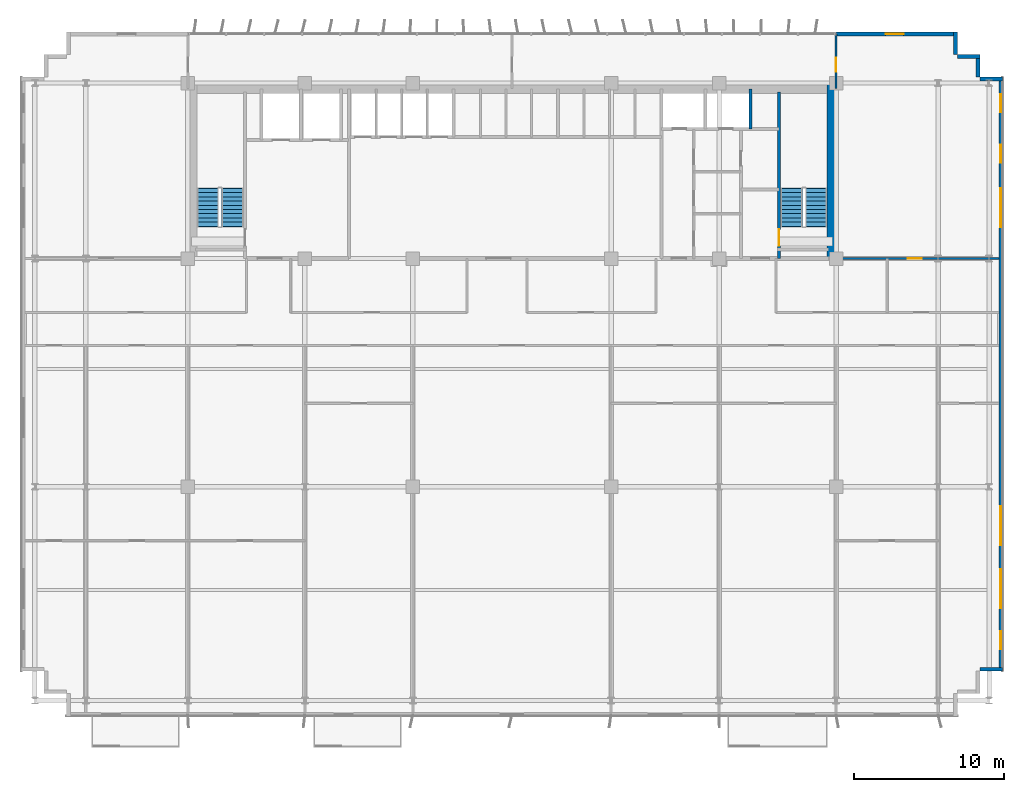
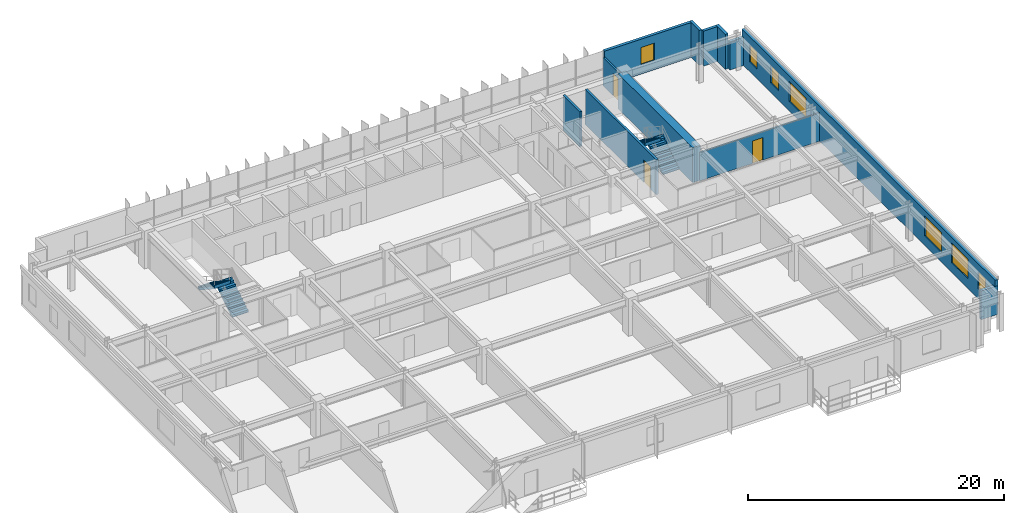
# One storey, part 18 of 21: 12 walls, 7 windows, 4 stair flights, 3 doors, 10 openings, 2 elements without a shape of their own.
"""IFC4 building model written with IfcOpenShell, lengths in metres."""

from ifc_helpers import new_model, si_unit, direction, frame, frame_2d, origin, place, context, subcontext, project, spatial, polyline, rectangle, outline, extrude, source, transform, mapped, material, layer, layer_set, type_object, element, fill, aggregate, save


model = new_model("IFC4")

# Units and contexts
model_context = context("Model", 3, precision=1e-05, world=origin(), true_north=direction((0.0, 1.0)))
body_context = subcontext(model_context, "Body", "Model", "MODEL_VIEW")
ifc_project = project(units=[si_unit("LENGTHUNIT", "METRE"), si_unit("AREAUNIT", "SQUARE_METRE"), si_unit("VOLUMEUNIT", "CUBIC_METRE"), si_unit("PLANEANGLEUNIT", "RADIAN"), si_unit("MASSUNIT", "GRAM", prefix="KILO")], contexts=[model_context])

# Site, building, storey
site_placement = place(None, origin())
site = spatial("IfcSite", under=ifc_project, at=site_placement, CompositionType="ELEMENT")
building_placement = place(site_placement, origin())
building = spatial("IfcBuilding", under=site, at=building_placement, Name="Trelvane Seafront Commons", CompositionType="ELEMENT")
storey_placement = place(building_placement, frame((0.0, 0.0, 34.300048828125)))
storey = spatial("IfcBuildingStorey", under=building, at=storey_placement, Name="L08", CompositionType="ELEMENT", Elevation=34.300048828125)

# Wall, opening, window
ifc_material_1 = material(Name="Precast concrete C40/50", Category="concrete")
ifc_layer_1 = layer(ifc_material_1, 0.260009765625, Name="ARCH-WALL-EXT260")
ifc_layer_set_1 = layer_set([ifc_layer_1], Name="Precast concrete C40/50")
wall_type_1 = type_object("IfcWallType", Name="ARCH-WALL-EXT260", PredefinedType="SOLIDWALL", material=ifc_layer_set_1)
wall_1_placement = place(storey_placement, frame((58.800048828125, 48.3701171875, 0.0), z_axis=(0.0, 0.0, 1.0), x_axis=(1.0, 0.0, 0.0)))
wall_1 = element("IfcWall", 1, at=wall_1_placement, inside=storey, type_object=wall_type_1, Name="EW-L08-NE-0109", PredefinedType="SOLIDWALL", context=body_context, shape_type="SweptSolid", body=[
    extrude(rectangle(XDim=8.0, YDim=0.260009765625, at=frame_2d((4.0, 0.0))), origin(), (0.0, 0.0, 1.0), 3.33984375),
])
opening_1_placement = place(wall_1_placement, frame((3.30810546875, 0.0, 0.89990234375)))
opening_1 = element("IfcOpeningElement", 2, at=opening_1_placement, cuts=wall_1, Name="Opening W05", PredefinedType="OPENING", context=body_context, shape_type="SweptSolid", body=[
    extrude(rectangle(XDim=1.199951171875, YDim=1.64990234375, at=frame_2d((0.60009765625, 0.824951171875))), frame((0.0, 0.139892578125, 0.0), z_axis=(0.0, -1.0, 0.0), x_axis=(1.0, 0.0, 0.0)), (0.0, 0.0, 1.0), 0.280029296875),
])
ifc_material_2 = material(Name="Low-E coastal double glazing", Category="glass")
window_type_1 = type_object("IfcWindowType", Name="ARCH-WIN-W05", PartitioningType="SINGLE_PANEL", PredefinedType="WINDOW", material=ifc_material_2)
shared_shape_1 = source(origin(), body_context, "Body", "SweptSolid", [
    extrude(rectangle(XDim=1.199951171875, YDim=1.64990234375, at=frame_2d((0.60009765625, 0.824951171875))), frame((0.0, 0.030029296875, 0.0), z_axis=(0.0, -1.0, 0.0), x_axis=(1.0, 0.0, 0.0)), (0.0, 0.0, 1.0), 0.06005859375),
])
window_1_placement = place(opening_1_placement, origin())
window_1 = element("IfcWindow", 3, at=window_1_placement, inside=storey, type_object=window_type_1, Name="WIN-L08-00157", OverallHeight=1.64990234375, OverallWidth=1.199951171875, PartitioningType="SINGLE_PANEL", PredefinedType="WINDOW", context=body_context, shape_type="MappedRepresentation", body=[
    mapped(shared_shape_1, transform((0.0, 0.0, 0.0), x_axis=(1.0, 0.0, 0.0), y_axis=(0.0, 1.0, 0.0), z_axis=(0.0, 0.0, 1.0), scale=1.0)),
])
fill(opening_1, window_1)

# Walls
for number, where, z_axis, x_axis, name in (
    (4, (66.77001953125, 48.5, 0.0), (0.0, 0.0, 1.0), (0.0, -1.0, 0.0), "EW-L08-00118"),
    (5, (66.89990234375, 46.8701171875, 0.0), (0.0, 0.0, 1.0), (1.0, 0.0, 0.0), "EW-L08-00119"),
    (6, (68.27001953125, 47.0, 0.0), (0.0, 0.0, 1.0), (0.0, -1.0, 0.0), "EW-L08-00120"),
):
    element("IfcWall", number, at=place(storey_placement, frame(where, z_axis=z_axis, x_axis=x_axis)), inside=storey, type_object=wall_type_1, Name=name, PredefinedType="SOLIDWALL", context=body_context, shape_type="SweptSolid", body=[
        extrude(rectangle(XDim=1.5, YDim=0.260009765625, at=frame_2d((0.75, 0.0))), origin(), (0.0, 0.0, 1.0), 3.33984375),
    ])
wall_2_placement = place(storey_placement, frame((68.39990234375, 45.3701171875, 0.0), z_axis=(0.0, 0.0, 1.0), x_axis=(1.0, 0.0, 0.0)))
element("IfcWall", 7, at=wall_2_placement, inside=storey, type_object=wall_type_1, Name="EW-L08-00121", PredefinedType="SOLIDWALL", context=body_context, shape_type="SweptSolid", body=[
    extrude(rectangle(XDim=1.5, YDim=0.260009765625, at=frame_2d((0.75, 0.0))), origin(), (0.0, 0.0, 1.0), 2.68994140625),
])

# Wall, openings, windows
wall_3_placement = place(storey_placement, frame((69.77001953125, 45.5, 0.0), z_axis=(0.0, 0.0, 1.0), x_axis=(0.0, -1.0, 0.0)))
wall_3 = element("IfcWall", 8, at=wall_3_placement, inside=storey, type_object=wall_type_1, Name="EW-L08-00122", PredefinedType="SOLIDWALL", context=body_context, shape_type="SweptSolid", body=[
    extrude(rectangle(XDim=39.60009765625, YDim=0.260009765625, at=frame_2d((19.800048828125, 0.0))), origin(), (0.0, 0.0, 1.0), 3.33984375),
])
opening_2_placement = place(wall_3_placement, frame((36.949951171875, 0.0, 0.919921875)))
opening_2 = element("IfcOpeningElement", 9, at=opening_2_placement, cuts=wall_3, Name="Opening W05", PredefinedType="OPENING", context=body_context, shape_type="SweptSolid", body=[
    extrude(rectangle(XDim=1.199951171875, YDim=1.64990234375, at=frame_2d((0.60009765625, 0.824951171875))), frame((0.0, 0.139892578125, 0.0), z_axis=(0.0, -1.0, 0.0), x_axis=(1.0, 0.0, 0.0)), (0.0, 0.0, 1.0), 0.280029296875),
])
opening_3_placement = place(wall_3_placement, frame((32.800048828125, 0.0, 0.919921875)))
opening_3 = element("IfcOpeningElement", 10, at=opening_3_placement, cuts=wall_3, Name="Opening W04", PredefinedType="OPENING", context=body_context, shape_type="SweptSolid", body=[
    extrude(rectangle(XDim=2.60009765625, YDim=1.89990234375, at=frame_2d((1.300048828125, 0.949951171875))), frame((0.0, 0.139892578125, 0.0), z_axis=(0.0, -1.0, 0.0), x_axis=(1.0, 0.0, 0.0)), (0.0, 0.0, 1.0), 0.280029296875),
])
opening_4_placement = place(wall_3_placement, frame((28.60009765625, 0.0, 0.919921875)))
opening_4 = element("IfcOpeningElement", 11, at=opening_4_placement, cuts=wall_3, Name="Opening W04", PredefinedType="OPENING", context=body_context, shape_type="SweptSolid", body=[
    extrude(rectangle(XDim=2.60009765625, YDim=1.89990234375, at=frame_2d((1.300048828125, 0.949951171875))), frame((0.0, 0.139892578125, 0.0), z_axis=(0.0, -1.0, 0.0), x_axis=(1.0, 0.0, 0.0)), (0.0, 0.0, 1.0), 0.280029296875),
])
opening_5_placement = place(wall_3_placement, frame((7.39990234375, 0.0, 0.919921875)))
opening_5 = element("IfcOpeningElement", 12, at=opening_5_placement, cuts=wall_3, Name="Opening W04", PredefinedType="OPENING", context=body_context, shape_type="SweptSolid", body=[
    extrude(rectangle(XDim=2.60009765625, YDim=1.89990234375, at=frame_2d((1.300048828125, 0.949951171875))), frame((0.0, 0.139892578125, 0.0), z_axis=(0.0, -1.0, 0.0), x_axis=(1.0, 0.0, 0.0)), (0.0, 0.0, 1.0), 0.280029296875),
])
opening_6_placement = place(wall_3_placement, frame((4.5, 0.0, 0.919921875)))
opening_6 = element("IfcOpeningElement", 13, at=opening_6_placement, cuts=wall_3, Name="Opening W05", PredefinedType="OPENING", context=body_context, shape_type="SweptSolid", body=[
    extrude(rectangle(XDim=1.199951171875, YDim=1.64990234375, at=frame_2d((0.60009765625, 0.824951171875))), frame((0.0, 0.139892578125, 0.0), z_axis=(0.0, -1.0, 0.0), x_axis=(1.0, 0.0, 0.0)), (0.0, 0.0, 1.0), 0.280029296875),
])
opening_7_placement = place(wall_3_placement, frame((1.14990234375, 0.0, 0.919921875)))
opening_7 = element("IfcOpeningElement", 14, at=opening_7_placement, cuts=wall_3, Name="Opening W05", PredefinedType="OPENING", context=body_context, shape_type="SweptSolid", body=[
    extrude(rectangle(XDim=1.199951171875, YDim=1.64990234375, at=frame_2d((0.60009765625, 0.824951171875))), frame((0.0, 0.139892578125, 0.0), z_axis=(0.0, -1.0, 0.0), x_axis=(1.0, 0.0, 0.0)), (0.0, 0.0, 1.0), 0.280029296875),
])
window_type_2 = type_object("IfcWindowType", Name="ARCH-WIN-W04", PartitioningType="SINGLE_PANEL", PredefinedType="WINDOW", material=ifc_material_2)
shared_shape_2 = source(origin(), body_context, "Body", "SweptSolid", [
    extrude(rectangle(XDim=2.60009765625, YDim=1.89990234375, at=frame_2d((1.300048828125, 0.949951171875))), frame((0.0, 0.030029296875, 0.0), z_axis=(0.0, -1.0, 0.0), x_axis=(1.0, 0.0, 0.0)), (0.0, 0.0, 1.0), 0.06005859375),
])
window_2_placement = place(opening_3_placement, origin())
window_2 = element("IfcWindow", 15, at=window_2_placement, inside=storey, type_object=window_type_2, Name="WIN-L08-EW-00165", OverallHeight=1.89990234375, OverallWidth=2.60009765625, PartitioningType="SINGLE_PANEL", PredefinedType="WINDOW", context=body_context, shape_type="MappedRepresentation", body=[
    mapped(shared_shape_2, transform((0.0, 0.0, 0.0), x_axis=(1.0, 0.0, 0.0), y_axis=(0.0, 1.0, 0.0), z_axis=(0.0, 0.0, 1.0), scale=1.0)),
])
fill(opening_3, window_2)
window_3_placement = place(opening_4_placement, origin())
window_3 = element("IfcWindow", 16, at=window_3_placement, inside=storey, type_object=window_type_2, Name="WIN-L08-EW-00166", OverallHeight=1.89990234375, OverallWidth=2.60009765625, PartitioningType="SINGLE_PANEL", PredefinedType="WINDOW", context=body_context, shape_type="MappedRepresentation", body=[
    mapped(shared_shape_2, transform((0.0, 0.0, 0.0), x_axis=(1.0, 0.0, 0.0), y_axis=(0.0, 1.0, 0.0), z_axis=(0.0, 0.0, 1.0), scale=1.0)),
])
fill(opening_4, window_3)
window_4_placement = place(opening_5_placement, origin())
window_4 = element("IfcWindow", 17, at=window_4_placement, inside=storey, type_object=window_type_2, Name="WIN-L08-EW-00167", OverallHeight=1.89990234375, OverallWidth=2.60009765625, PartitioningType="SINGLE_PANEL", PredefinedType="WINDOW", context=body_context, shape_type="MappedRepresentation", body=[
    mapped(shared_shape_2, transform((0.0, 0.0, 0.0), x_axis=(1.0, 0.0, 0.0), y_axis=(0.0, 1.0, 0.0), z_axis=(0.0, 0.0, 1.0), scale=1.0)),
])
fill(opening_5, window_4)
window_5_placement = place(opening_2_placement, origin())
window_5 = element("IfcWindow", 18, at=window_5_placement, inside=storey, type_object=window_type_1, Name="WIN-L08-EW-00164", OverallHeight=1.64990234375, OverallWidth=1.199951171875, PartitioningType="SINGLE_PANEL", PredefinedType="WINDOW", context=body_context, shape_type="MappedRepresentation", body=[
    mapped(shared_shape_1, transform((0.0, 0.0, 0.0), x_axis=(1.0, 0.0, 0.0), y_axis=(0.0, 1.0, 0.0), z_axis=(0.0, 0.0, 1.0), scale=1.0)),
])
fill(opening_2, window_5)
window_6_placement = place(opening_6_placement, origin())
window_6 = element("IfcWindow", 19, at=window_6_placement, inside=storey, type_object=window_type_1, Name="WIN-L08-EW-00168", OverallHeight=1.64990234375, OverallWidth=1.199951171875, PartitioningType="SINGLE_PANEL", PredefinedType="WINDOW", context=body_context, shape_type="MappedRepresentation", body=[
    mapped(shared_shape_1, transform((0.0, 0.0, 0.0), x_axis=(1.0, 0.0, 0.0), y_axis=(0.0, 1.0, 0.0), z_axis=(0.0, 0.0, 1.0), scale=1.0)),
])
fill(opening_6, window_6)
window_7_placement = place(opening_7_placement, origin())
window_7 = element("IfcWindow", 20, at=window_7_placement, inside=storey, type_object=window_type_1, Name="WIN-L08-EW-00169", OverallHeight=1.64990234375, OverallWidth=1.199951171875, PartitioningType="SINGLE_PANEL", PredefinedType="WINDOW", context=body_context, shape_type="MappedRepresentation", body=[
    mapped(shared_shape_1, transform((0.0, 0.0, 0.0), x_axis=(1.0, 0.0, 0.0), y_axis=(0.0, 1.0, 0.0), z_axis=(0.0, 0.0, 1.0), scale=1.0)),
])
fill(opening_7, window_7)

# Wall
wall_4_placement = place(storey_placement, frame((69.89990234375, 6.030029296875, 0.0), z_axis=(0.0, 0.0, 1.0), x_axis=(-1.0, 0.0, 0.0)))
element("IfcWall", 21, at=wall_4_placement, inside=storey, type_object=wall_type_1, Name="EW-L08-00123", PredefinedType="SOLIDWALL", context=body_context, shape_type="SweptSolid", body=[
    extrude(rectangle(XDim=1.5, YDim=0.260009765625, at=frame_2d((0.75, 0.0))), origin(), (0.0, 0.0, 1.0), 2.751953125),
])

# Wall, opening, door
ifc_material_3 = material(Name="Gypsum Drywall Acoustic Partition")
ifc_layer_2 = layer(ifc_material_3, 0.14990234375, Name="ARCH-WALL-PART150")
ifc_layer_set_2 = layer_set([ifc_layer_2], Name="Gypsum Drywall Acoustic Partition")
wall_type_2 = type_object("IfcWallType", Name="ARCH-WALL-PART150", PredefinedType="PARTITIONING", material=ifc_layer_set_2)
wall_5_placement = place(storey_placement, frame((58.800048828125, 33.39990234375, 0.0), z_axis=(0.0, 0.0, 1.0), x_axis=(1.0, 0.0, 0.0)))
wall_5 = element("IfcWall", 22, at=wall_5_placement, inside=storey, type_object=wall_type_2, Name="W-L08-NE-ENT-051", PredefinedType="PARTITIONING", context=body_context, shape_type="SweptSolid", body=[
    extrude(rectangle(XDim=10.849853515625, YDim=0.14990234375, at=frame_2d((5.4248046875, 0.0))), origin(), (0.0, 0.0, 1.0), 2.68994140625),
])
opening_8_placement = place(wall_5_placement, frame((4.760009765625, 0.0, 0.0)))
opening_8 = element("IfcOpeningElement", 23, at=opening_8_placement, cuts=wall_5, Name="Opening FD-L08-25", PredefinedType="OPENING", context=body_context, shape_type="SweptSolid", body=[
    extrude(rectangle(XDim=0.949951171875, YDim=2.14990234375, at=frame_2d((0.47509765625, 1.074951171875))), frame((0.0, 0.0849609375, 0.0), z_axis=(0.0, -1.0, 0.0), x_axis=(1.0, 0.0, 0.0)), (0.0, 0.0, 1.0), 0.169921875),
])
ifc_material_4 = material(Name="Powder-coated aluminium frame", Category="aluminium")
door_type_1 = type_object("IfcDoorType", Name="ARCH-DR-FD60-950", OperationType="NOTDEFINED", PredefinedType="DOOR", material=ifc_material_4)
shared_shape_3 = source(origin(), body_context, "Body", "SweptSolid", [
    extrude(rectangle(XDim=0.949951171875, YDim=2.14990234375, at=frame_2d((0.47509765625, 1.074951171875))), frame((0.0, 0.02490234375, 0.0), z_axis=(0.0, -1.0, 0.0), x_axis=(1.0, 0.0, 0.0)), (0.0, 0.0, 1.0), 0.050048828125),
])
door_1_placement = place(opening_8_placement, origin())
door_1 = element("IfcDoor", 24, at=door_1_placement, inside=storey, type_object=door_type_1, Name="L08 NE Suite Entrance Door", OperationType="SINGLE_SWING_LEFT", OverallHeight=2.14990234375, OverallWidth=0.949951171875, PredefinedType="DOOR", context=body_context, shape_type="MappedRepresentation", body=[
    mapped(shared_shape_3, transform((0.0, 0.0, 0.0), x_axis=(1.0, 0.0, 0.0), y_axis=(0.0, 1.0, 0.0), z_axis=(0.0, 0.0, 1.0), scale=1.0)),
])
fill(opening_8, door_1)

wall_6_placement = place(storey_placement, frame((58.800048828125, 44.75, 0.0), z_axis=(0.0, 0.0, 1.0), x_axis=(0.0, 1.0, 0.0)))
wall_6 = element("IfcWall", 25, at=wall_6_placement, inside=storey, type_object=wall_type_2, Name="W-L08-N-LINK-E-054", PredefinedType="PARTITIONING", context=body_context, shape_type="SweptSolid", body=[
    extrude(rectangle(XDim=3.610107421875, YDim=0.14990234375, at=frame_2d((1.80517578125, 0.0))), origin(), (0.0, 0.0, 1.0), 2.751953125),
])
opening_9_placement = place(wall_6_placement, frame((1.10009765625, 0.0, 0.0)))
opening_9 = element("IfcOpeningElement", 26, at=opening_9_placement, cuts=wall_6, Name="Opening FD-L08-28", PredefinedType="OPENING", context=body_context, shape_type="SweptSolid", body=[
    extrude(rectangle(XDim=0.949951171875, YDim=2.14990234375, at=frame_2d((0.47509765625, 1.074951171875))), frame((0.0, 0.0849609375, 0.0), z_axis=(0.0, -1.0, 0.0), x_axis=(1.0, 0.0, 0.0)), (0.0, 0.0, 1.0), 0.169921875),
])
door_2_placement = place(opening_9_placement, origin())
door_2 = element("IfcDoor", 27, at=door_2_placement, inside=storey, type_object=door_type_1, Name="L08 Door 28", OperationType="SINGLE_SWING_RIGHT", OverallHeight=2.14990234375, OverallWidth=0.949951171875, PredefinedType="DOOR", context=body_context, shape_type="MappedRepresentation", body=[
    mapped(shared_shape_3, transform((0.0, 0.0, 0.0), x_axis=(1.0, 0.0, 0.0), y_axis=(0.0, 1.0, 0.0), z_axis=(0.0, 0.0, 1.0), scale=1.0)),
])
fill(opening_9, door_2)

# Walls
ifc_material_5 = material(Name="Concrete C40/50", Category="concrete")
ifc_layer_3 = layer(ifc_material_5, 0.199951171875, Name="ARCH-WALL-SHAFT200")
ifc_layer_set_3 = layer_set([ifc_layer_3], Name="Concrete C40/50")
wall_type_3 = type_object("IfcWallType", Name="ARCH-WALL-SHAFT200", PredefinedType="SOLIDWALL", material=ifc_layer_set_3)
wall_7_placement = place(storey_placement, frame((53.10009765625, 42.050048828125, 0.0), z_axis=(0.0, 0.0, 1.0), x_axis=(0.0, 1.0, 0.0)))
element("IfcWall", 28, at=wall_7_placement, inside=storey, type_object=wall_type_3, Name="W-L08-RSR-E-032", PredefinedType="SOLIDWALL", context=body_context, shape_type="SweptSolid", body=[
    extrude(rectangle(XDim=2.64990234375, YDim=0.199951171875, at=frame_2d((1.324951171875, 0.0))), origin(), (0.0, 0.0, 1.0), 3.33984375),
])
ifc_material_6 = material(Name="Concrete C60/75", Category="concrete")
ifc_layer_4 = layer(ifc_material_6, 0.699951171875, Name="STR-WALL-CORE700")
ifc_layer_set_4 = layer_set([ifc_layer_4], Name="Concrete C60/75")
wall_type_4 = type_object("IfcWallType", Name="STR-WALL-CORE700", PredefinedType="SHEAR", material=ifc_layer_set_4)
wall_8_placement = place(storey_placement, frame((58.550048828125, 33.39990234375, 0.0), z_axis=(0.0, 0.0, 1.0), x_axis=(0.0, 1.0, 0.0)))
element("IfcWall", 29, at=wall_8_placement, inside=storey, type_object=wall_type_4, Name="W-L08-CE-END-003", PredefinedType="SHEAR", context=body_context, shape_type="SweptSolid", body=[
    extrude(rectangle(XDim=11.7001953125, YDim=0.699951171875, at=frame_2d((5.85009765625, 0.0))), origin(), (0.0, 0.0, 1.0), 3.33984375),
])

# Wall, opening, door
ifc_material_7 = material(Name="Concrete C50/60", Category="concrete")
ifc_layer_5 = layer(ifc_material_7, 0.199951171875, Name="STR-WALL-STAIR200")
ifc_layer_set_5 = layer_set([ifc_layer_5], Name="Concrete C50/60")
wall_type_5 = type_object("IfcWallType", Name="STR-WALL-STAIR200", PredefinedType="SHEAR", material=ifc_layer_set_5)
wall_9_placement = place(storey_placement, frame((55.0, 33.39990234375, 0.0), z_axis=(0.0, 0.0, 1.0), x_axis=(0.0, 1.0, 0.0)))
wall_9 = element("IfcWall", 30, at=wall_9_placement, inside=storey, type_object=wall_type_5, Name="W-L08-ST2-W-007", PredefinedType="SHEAR", context=body_context, shape_type="SweptSolid", body=[
    extrude(rectangle(XDim=11.10009765625, YDim=0.199951171875, at=frame_2d((5.550048828125, 0.0))), origin(), (0.0, 0.0, 1.0), 3.33984375),
])
opening_10_placement = place(wall_9_placement, frame((0.85009765625, 0.0, 0.0)))
opening_10 = element("IfcOpeningElement", 31, at=opening_10_placement, cuts=wall_9, Name="Opening ST-D2-L08", PredefinedType="OPENING", context=body_context, shape_type="SweptSolid", body=[
    extrude(rectangle(XDim=1.10009765625, YDim=2.14990234375, at=frame_2d((0.550048828125, 1.074951171875))), frame((0.0, 0.10986328125, 0.0), z_axis=(0.0, -1.0, 0.0), x_axis=(1.0, 0.0, 0.0)), (0.0, 0.0, 1.0), 0.219970703125),
])
door_type_2 = type_object("IfcDoorType", Name="ARCH-DR-FD90-1100", OperationType="NOTDEFINED", PredefinedType="DOOR", material=ifc_material_4)
shared_shape_4 = source(origin(), body_context, "Body", "SweptSolid", [
    extrude(rectangle(XDim=1.10009765625, YDim=2.14990234375, at=frame_2d((0.550048828125, 1.074951171875))), frame((0.0, 0.02490234375, 0.0), z_axis=(0.0, -1.0, 0.0), x_axis=(1.0, 0.0, 0.0)), (0.0, 0.0, 1.0), 0.050048828125),
])
door_3_placement = place(opening_10_placement, origin())
door_3 = element("IfcDoor", 32, at=door_3_placement, inside=storey, type_object=door_type_2, Name="L08 Stair ST-2 Vestibule Fire Door", OperationType="SINGLE_SWING_RIGHT", OverallHeight=2.14990234375, OverallWidth=1.10009765625, PredefinedType="DOOR", context=body_context, shape_type="MappedRepresentation", body=[
    mapped(shared_shape_4, transform((0.0, 0.0, 0.0), x_axis=(1.0, 0.0, 0.0), y_axis=(0.0, 1.0, 0.0), z_axis=(0.0, 0.0, 1.0), scale=1.0)),
])
fill(opening_10, door_3)

# Stair, stair flights
stair_type_1 = type_object("IfcStairType", Name="ARCH-STR-ST-1-R20-180", PredefinedType="HALF_TURN_STAIR", material=ifc_material_5)
stair_1_placement = place(storey_placement, origin())
stair_1 = element("IfcStair", 33, at=stair_1_placement, inside=storey, type_object=stair_type_1, Name="L08 West Protected Firefighting Exit Stair ST-1", PredefinedType="HALF_TURN_STAIR")
stair_flight_type_1 = type_object("IfcStairFlightType", Name="ARCH-FLG-ST-1-R20-180", PredefinedType="STRAIGHT", material=ifc_material_5)
shared_shape_5 = source(origin(), body_context, "Body", "SweptSolid", [
    extrude(outline(polyline([(-0.050048828125, -0.02001953125), (-0.050048828125, 0.0), (0.0, 0.0), (0.0, 0.179931640625), (0.280029296875, 0.179931640625), (0.280029296875, 0.360107421875), (0.56005859375, 0.360107421875), (0.56005859375, 0.5400390625), (0.840087890625, 0.5400390625), (0.840087890625, 0.719970703125), (1.1201171875, 0.719970703125), (1.1201171875, 0.89990234375), (1.39990234375, 0.89990234375), (1.39990234375, 1.080078125), (1.679931640625, 1.080078125), (1.679931640625, 1.260009765625), (1.9599609375, 1.260009765625), (1.9599609375, 1.43994140625), (2.239990234375, 1.43994140625), (2.239990234375, 1.6201171875), (2.52001953125, 1.6201171875), (2.52001953125, 1.800048828125), (2.570068359375, 1.800048828125), (2.570068359375, 1.650146484375), (2.52001953125, 1.44189453125), (0.277099609375, -0.02001953125), (-0.050048828125, -0.02001953125)])), frame((0.0, 0.72509765625, 0.0), z_axis=(0.0, -1.0, 0.0), x_axis=(1.0, 0.0, 0.0)), (0.0, 0.0, 1.0), 1.449951171875),
])
stair_flight_1_placement = place(storey_placement, frame((18.574951171875, 35.550048828125, 0.0), z_axis=(0.0, 0.0, 1.0), x_axis=(0.0, 1.0, 0.0)))
stair_flight_1 = element("IfcStairFlight", 34, at=stair_flight_1_placement, type_object=stair_flight_type_1, Name="ST-1 flight 1", NumberOfRisers=10, NumberOfTreads=9, PredefinedType="STRAIGHT", RiserHeight=0.18, TreadLength=0.28, context=body_context, shape_type="MappedRepresentation", body=[
    mapped(shared_shape_5, transform((0.0, 0.0, 0.0), x_axis=(1.0, 0.0, 0.0), y_axis=(0.0, 1.0, 0.0), z_axis=(0.0, 0.0, 1.0), scale=1.0)),
])
stair_flight_2_placement = place(storey_placement, frame((16.925048828125, 38.070068359375, 1.800048828125), z_axis=(0.0, 0.0, 1.0), x_axis=(0.0, -1.0, 0.0)))
stair_flight_2 = element("IfcStairFlight", 35, at=stair_flight_2_placement, type_object=stair_flight_type_1, Name="ST-1 flight 2", NumberOfRisers=10, NumberOfTreads=9, PredefinedType="STRAIGHT", RiserHeight=0.18, TreadLength=0.28, context=body_context, shape_type="MappedRepresentation", body=[
    mapped(shared_shape_5, transform((0.0, 0.0, 0.0), x_axis=(1.0, 0.0, 0.0), y_axis=(0.0, 1.0, 0.0), z_axis=(0.0, 0.0, 1.0), scale=1.0)),
])
aggregate(stair_1, [stair_flight_1, stair_flight_2])

stair_type_2 = type_object("IfcStairType", Name="ARCH-STR-ST-2-R20-180", PredefinedType="HALF_TURN_STAIR", material=ifc_material_5)
stair_2_placement = place(storey_placement, origin())
stair_2 = element("IfcStair", 36, at=stair_2_placement, inside=storey, type_object=stair_type_2, Name="L08 East Protected Firefighting Exit Stair ST-2", PredefinedType="HALF_TURN_STAIR")
stair_flight_type_2 = type_object("IfcStairFlightType", Name="ARCH-FLG-ST-2-R20-180", PredefinedType="STRAIGHT", material=ifc_material_5)
stair_flight_3_placement = place(storey_placement, frame((57.47509765625, 35.550048828125, 0.0), z_axis=(0.0, 0.0, 1.0), x_axis=(0.0, 1.0, 0.0)))
stair_flight_3 = element("IfcStairFlight", 37, at=stair_flight_3_placement, type_object=stair_flight_type_2, Name="ST-2 flight 1", NumberOfRisers=10, NumberOfTreads=9, PredefinedType="STRAIGHT", RiserHeight=0.18, TreadLength=0.28, context=body_context, shape_type="MappedRepresentation", body=[
    mapped(shared_shape_5, transform((0.0, 0.0, 0.0), x_axis=(1.0, 0.0, 0.0), y_axis=(0.0, 1.0, 0.0), z_axis=(0.0, 0.0, 1.0), scale=1.0)),
])
stair_flight_4_placement = place(storey_placement, frame((55.824951171875, 38.070068359375, 1.800048828125), z_axis=(0.0, 0.0, 1.0), x_axis=(0.0, -1.0, 0.0)))
stair_flight_4 = element("IfcStairFlight", 38, at=stair_flight_4_placement, type_object=stair_flight_type_2, Name="ST-2 flight 2", NumberOfRisers=10, NumberOfTreads=9, PredefinedType="STRAIGHT", RiserHeight=0.18, TreadLength=0.28, context=body_context, shape_type="MappedRepresentation", body=[
    mapped(shared_shape_5, transform((0.0, 0.0, 0.0), x_axis=(1.0, 0.0, 0.0), y_axis=(0.0, 1.0, 0.0), z_axis=(0.0, 0.0, 1.0), scale=1.0)),
])
aggregate(stair_2, [stair_flight_3, stair_flight_4])

save(model, "model.ifc")
